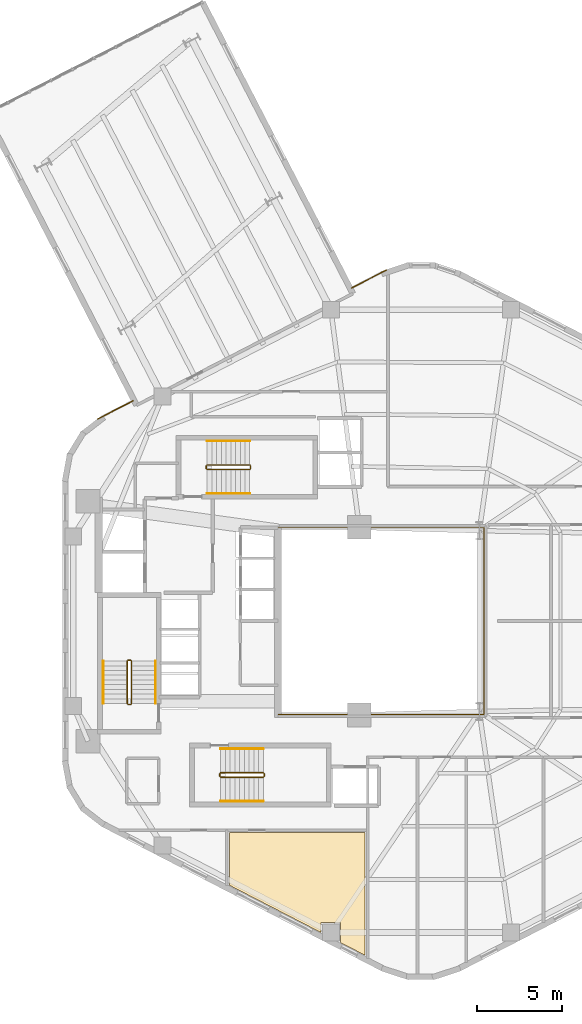
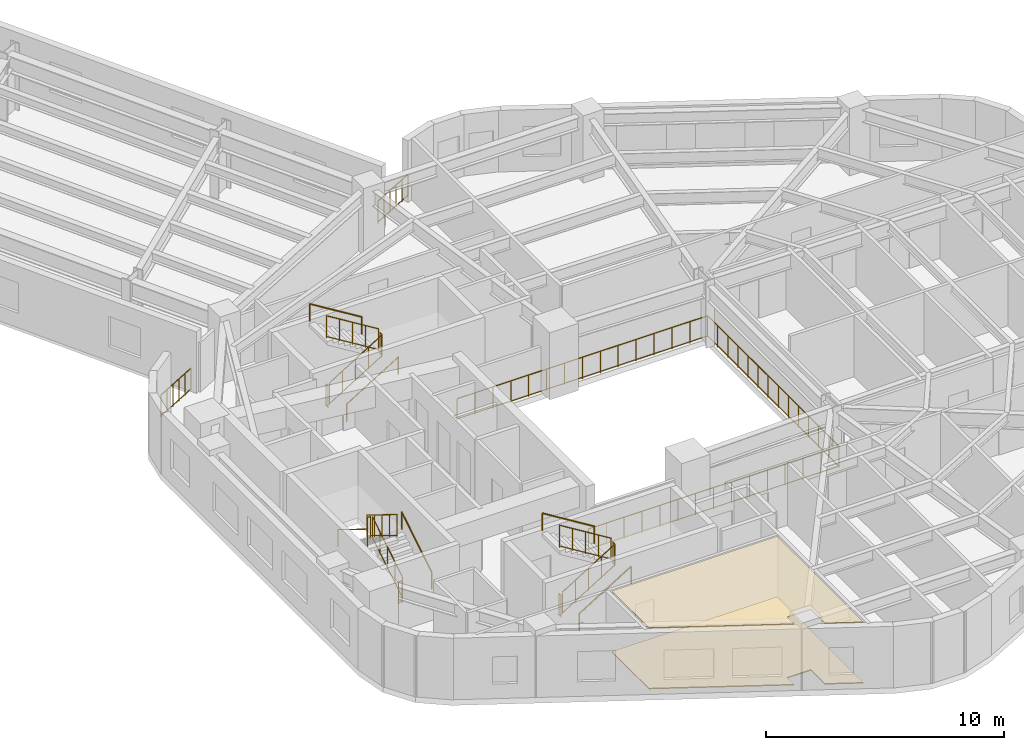
# One storey, part 10 of 10: 21 railings, 2 coverings.
"""IFC4 building model written with IfcOpenShell, lengths in metres."""

from ifc_helpers import new_model, si_unit, direction, frame, origin, origin_2d, place, context, subcontext, project, spatial, polyline, circle, outline, extrude, material, layer, layer_set, type_object, element, save


model = new_model("IFC4")

# Units and contexts
model_context = context("Model", 3, precision=1e-05, world=origin(), true_north=direction((0.0, 1.0)))
body_context = subcontext(model_context, "Body", "Model", "MODEL_VIEW")
ifc_project = project(units=[si_unit("LENGTHUNIT", "METRE"), si_unit("AREAUNIT", "SQUARE_METRE"), si_unit("VOLUMEUNIT", "CUBIC_METRE"), si_unit("PLANEANGLEUNIT", "RADIAN"), si_unit("MASSUNIT", "GRAM", prefix="KILO"), si_unit("THERMODYNAMICTEMPERATUREUNIT", "KELVIN"), si_unit("POWERUNIT", "WATT")], contexts=[model_context])

# Site, building, storey
site_placement = place(None, origin())
site = spatial("IfcSite", under=ifc_project, at=site_placement, CompositionType="ELEMENT")
building_placement = place(site_placement, origin())
building = spatial("IfcBuilding", under=site, at=building_placement, Name="Skarre Station Tower", CompositionType="ELEMENT")
storey_placement = place(building_placement, frame((0.0, 0.0, 142.949951171875)))
storey = spatial("IfcBuildingStorey", under=building, at=storey_placement, Name="L38", CompositionType="ELEMENT", Elevation=142.949951171875)

# Railing
ifc_material_1 = material(Name="Bronze Anodized Steel & Laminated Glass Balustrade", Category="steel")
railing_type_1 = type_object("IfcRailingType", Name="Atrium Void & Mezzanine Guard Balustrade 1120", PredefinedType="GUARDRAIL", material=ifc_material_1)
railing_1_placement = place(storey_placement, frame((27.550048828125, 18.47998046875, 0.0)))
element("IfcRailing", 1, at=railing_1_placement, inside=storey, type_object=railing_type_1, Name="L38 Atrium Void Guard Balustrade", PredefinedType="GUARDRAIL", context=body_context, shape_type="SweptSolid", body=[
    extrude(circle(Radius=0.02392578125, at=origin_2d()), frame((0.0, 0.0, 1.09619140625), z_axis=(1.0, 0.0, 0.0), x_axis=(0.0, 1.0, 0.0)), (0.0, 0.0, 1.0), 12.169921875),
    extrude(circle(Radius=0.02099609375, at=origin_2d()), frame((0.0, 0.0, 0.06005859375), z_axis=(1.0, 0.0, 0.0), x_axis=(0.0, 1.0, 0.0)), (0.0, 0.0, 1.0), 12.169921875),
    extrude(circle(Radius=0.02392578125, at=origin_2d()), frame((12.169921875, 0.0, 1.09619140625), z_axis=(0.0, 1.0, 0.0), x_axis=(-1.0, 0.0, 0.0)), (0.0, 0.0, 1.0), 11.0400390625),
    extrude(circle(Radius=0.02099609375, at=origin_2d()), frame((12.169921875, 0.0, 0.06005859375), z_axis=(0.0, 1.0, 0.0), x_axis=(-1.0, 0.0, 0.0)), (0.0, 0.0, 1.0), 11.0400390625),
    extrude(circle(Radius=0.02392578125, at=origin_2d()), frame((12.169921875, 11.0400390625, 1.09619140625), z_axis=(-1.0, 0.0, 0.0), x_axis=(0.0, -1.0, 0.0)), (0.0, 0.0, 1.0), 12.169921875),
    extrude(circle(Radius=0.02099609375, at=origin_2d()), frame((12.169921875, 11.0400390625, 0.06005859375), z_axis=(-1.0, 0.0, 0.0), x_axis=(0.0, -1.0, 0.0)), (0.0, 0.0, 1.0), 12.169921875),
    extrude(circle(Radius=0.02099609375, at=origin_2d()), origin(), (0.0, 0.0, 1.0), 1.072021484375),
    extrude(circle(Radius=0.02099609375, at=origin_2d()), frame((0.869384765625, 0.0, 0.0)), (0.0, 0.0, 1.0), 1.072021484375),
    extrude(circle(Radius=0.02099609375, at=origin_2d()), frame((1.738525390625, 0.0, 0.0)), (0.0, 0.0, 1.0), 1.072021484375),
    extrude(circle(Radius=0.02099609375, at=origin_2d()), frame((2.60791015625, 0.0, 0.0)), (0.0, 0.0, 1.0), 1.072021484375),
    extrude(circle(Radius=0.02099609375, at=origin_2d()), frame((3.47705078125, 0.0, 0.0)), (0.0, 0.0, 1.0), 1.072021484375),
    extrude(circle(Radius=0.02099609375, at=origin_2d()), frame((4.346435546875, 0.0, 0.0)), (0.0, 0.0, 1.0), 1.072021484375),
    extrude(circle(Radius=0.02099609375, at=origin_2d()), frame((5.215576171875, 0.0, 0.0)), (0.0, 0.0, 1.0), 1.072021484375),
    extrude(circle(Radius=0.02099609375, at=origin_2d()), frame((6.0849609375, 0.0, 0.0)), (0.0, 0.0, 1.0), 1.072021484375),
    extrude(circle(Radius=0.02099609375, at=origin_2d()), frame((6.954345703125, 0.0, 0.0)), (0.0, 0.0, 1.0), 1.072021484375),
    extrude(circle(Radius=0.02099609375, at=origin_2d()), frame((7.823486328125, 0.0, 0.0)), (0.0, 0.0, 1.0), 1.072021484375),
    extrude(circle(Radius=0.02099609375, at=origin_2d()), frame((8.69287109375, 0.0, 0.0)), (0.0, 0.0, 1.0), 1.072021484375),
    extrude(circle(Radius=0.02099609375, at=origin_2d()), frame((9.56201171875, 0.0, 0.0)), (0.0, 0.0, 1.0), 1.072021484375),
    extrude(circle(Radius=0.02099609375, at=origin_2d()), frame((10.431396484375, 0.0, 0.0)), (0.0, 0.0, 1.0), 1.072021484375),
    extrude(circle(Radius=0.02099609375, at=origin_2d()), frame((11.300537109375, 0.0, 0.0)), (0.0, 0.0, 1.0), 1.072021484375),
    extrude(circle(Radius=0.02099609375, at=origin_2d()), frame((12.169921875, 0.0, 0.0)), (0.0, 0.0, 1.0), 1.072021484375),
    extrude(circle(Radius=0.02099609375, at=origin_2d()), frame((12.169921875, 0.84912109375, 0.0)), (0.0, 0.0, 1.0), 1.072021484375),
    extrude(circle(Radius=0.02099609375, at=origin_2d()), frame((12.169921875, 1.698486328125, 0.0)), (0.0, 0.0, 1.0), 1.072021484375),
    extrude(circle(Radius=0.02099609375, at=origin_2d()), frame((12.169921875, 2.547607421875, 0.0)), (0.0, 0.0, 1.0), 1.072021484375),
    extrude(circle(Radius=0.02099609375, at=origin_2d()), frame((12.169921875, 3.39697265625, 0.0)), (0.0, 0.0, 1.0), 1.072021484375),
    extrude(circle(Radius=0.02099609375, at=origin_2d()), frame((12.169921875, 4.24609375, 0.0)), (0.0, 0.0, 1.0), 1.072021484375),
    extrude(circle(Radius=0.02099609375, at=origin_2d()), frame((12.169921875, 5.095458984375, 0.0)), (0.0, 0.0, 1.0), 1.072021484375),
    extrude(circle(Radius=0.02099609375, at=origin_2d()), frame((12.169921875, 5.944580078125, 0.0)), (0.0, 0.0, 1.0), 1.072021484375),
    extrude(circle(Radius=0.02099609375, at=origin_2d()), frame((12.169921875, 6.7939453125, 0.0)), (0.0, 0.0, 1.0), 1.072021484375),
    extrude(circle(Radius=0.02099609375, at=origin_2d()), frame((12.169921875, 7.64306640625, 0.0)), (0.0, 0.0, 1.0), 1.072021484375),
    extrude(circle(Radius=0.02099609375, at=origin_2d()), frame((12.169921875, 8.492431640625, 0.0)), (0.0, 0.0, 1.0), 1.072021484375),
    extrude(circle(Radius=0.02099609375, at=origin_2d()), frame((12.169921875, 9.341552734375, 0.0)), (0.0, 0.0, 1.0), 1.072021484375),
    extrude(circle(Radius=0.02099609375, at=origin_2d()), frame((12.169921875, 10.19091796875, 0.0)), (0.0, 0.0, 1.0), 1.072021484375),
    extrude(circle(Radius=0.02099609375, at=origin_2d()), frame((12.169921875, 11.0400390625, 0.0)), (0.0, 0.0, 1.0), 1.072021484375),
    extrude(circle(Radius=0.02099609375, at=origin_2d()), frame((11.300537109375, 11.0400390625, 0.0)), (0.0, 0.0, 1.0), 1.072021484375),
    extrude(circle(Radius=0.02099609375, at=origin_2d()), frame((10.431396484375, 11.0400390625, 0.0)), (0.0, 0.0, 1.0), 1.072021484375),
    extrude(circle(Radius=0.02099609375, at=origin_2d()), frame((9.56201171875, 11.0400390625, 0.0)), (0.0, 0.0, 1.0), 1.072021484375),
    extrude(circle(Radius=0.02099609375, at=origin_2d()), frame((8.69287109375, 11.0400390625, 0.0)), (0.0, 0.0, 1.0), 1.072021484375),
    extrude(circle(Radius=0.02099609375, at=origin_2d()), frame((7.823486328125, 11.0400390625, 0.0)), (0.0, 0.0, 1.0), 1.072021484375),
    extrude(circle(Radius=0.02099609375, at=origin_2d()), frame((6.954345703125, 11.0400390625, 0.0)), (0.0, 0.0, 1.0), 1.072021484375),
    extrude(circle(Radius=0.02099609375, at=origin_2d()), frame((6.0849609375, 11.0400390625, 0.0)), (0.0, 0.0, 1.0), 1.072021484375),
    extrude(circle(Radius=0.02099609375, at=origin_2d()), frame((5.215576171875, 11.0400390625, 0.0)), (0.0, 0.0, 1.0), 1.072021484375),
    extrude(circle(Radius=0.02099609375, at=origin_2d()), frame((4.346435546875, 11.0400390625, 0.0)), (0.0, 0.0, 1.0), 1.072021484375),
    extrude(circle(Radius=0.02099609375, at=origin_2d()), frame((3.47705078125, 11.0400390625, 0.0)), (0.0, 0.0, 1.0), 1.072021484375),
    extrude(circle(Radius=0.02099609375, at=origin_2d()), frame((2.60791015625, 11.0400390625, 0.0)), (0.0, 0.0, 1.0), 1.072021484375),
    extrude(circle(Radius=0.02099609375, at=origin_2d()), frame((1.738525390625, 11.0400390625, 0.0)), (0.0, 0.0, 1.0), 1.072021484375),
    extrude(circle(Radius=0.02099609375, at=origin_2d()), frame((0.869384765625, 11.0400390625, 0.0)), (0.0, 0.0, 1.0), 1.072021484375),
    extrude(circle(Radius=0.02099609375, at=origin_2d()), frame((0.0, 11.0400390625, 0.0)), (0.0, 0.0, 1.0), 1.072021484375),
])

# Covering
ifc_material_2 = material(Name="Honed Jura Limestone & Calcium-Sulfate Access Tile", Category="masonry")
ifc_layer_1 = layer(ifc_material_2, 0.050048828125, Name="Honed Jura Limestone & Calcium-Sulfate Access Tile")
ifc_layer_set_1 = layer_set([ifc_layer_1], Name="Honed Jura Limestone & Calcium-Sulfate Access Tile")
covering_type_1 = type_object("IfcCoveringType", Name="Honed Limestone & Raised Access Floor Finish 50", PredefinedType="FLOORING", material=ifc_layer_set_1)
covering_1_placement = place(storey_placement, origin())
element("IfcCovering", 2, at=covering_1_placement, inside=storey, type_object=covering_type_1, Name="L38 Limestone Access Flooring 1", PredefinedType="FLOORING", context=body_context, shape_type="SweptSolid", body=[
    extrude(outline(polyline([(24.659912109375, 8.3798828125), (30.089111328125, 5.577880859375), (30.089111328125, 6.162109375), (31.2490234375, 6.162109375), (31.2490234375, 5.001953125), (31.205078125, 5.001953125), (32.68994140625, 4.235107421875), (32.68994140625, 11.5), (24.659912109375, 11.5), (24.659912109375, 8.3798828125)])), origin(), (0.0, 0.0, 1.0), 0.050048828125),
])

# Railings
ifc_material_3 = material(Name="Stainless Steel Grade 316L & Laminated Safety Glass", Category="steel")
railing_type_2 = type_object("IfcRailingType", Name="Laminated Glass & Stainless Terrace Guardrail 1150", PredefinedType="BALUSTRADE", material=ifc_material_3)
railing_2_placement = place(storey_placement, frame((16.87890625, 35.952880859375, 0.0)))
element("IfcRailing", 3, at=railing_2_placement, inside=storey, type_object=railing_type_2, Name="L38 SB-3 Shoulder Ledge Guardrail 1", PredefinedType="BALUSTRADE", context=body_context, shape_type="SweptSolid", body=[
    extrude(circle(Radius=0.02392578125, at=origin_2d()), frame((0.0, 0.0, 1.1259765625), z_axis=(0.888522104904, 0.458833814248, 0.0), x_axis=(-0.458833814248, 0.888522104904, 0.0)), (0.0, 0.0, 1.0), 2.345458984375),
    extrude(circle(Radius=0.02099609375, at=origin_2d()), frame((0.0, 0.0, 0.06005859375), z_axis=(0.888522104904, 0.458833814248, 0.0), x_axis=(-0.458833814248, 0.888522104904, 0.0)), (0.0, 0.0, 1.0), 2.345458984375),
    extrude(circle(Radius=0.02099609375, at=origin_2d()), origin(), (0.0, 0.0, 1.0), 1.101806640625),
    extrude(circle(Radius=0.02099609375, at=origin_2d()), frame((0.416748046875, 0.21533203125, 0.0)), (0.0, 0.0, 1.0), 1.101806640625),
    extrude(circle(Radius=0.02099609375, at=origin_2d()), frame((0.83349609375, 0.430419921875, 0.0)), (0.0, 0.0, 1.0), 1.101806640625),
    extrude(circle(Radius=0.02099609375, at=origin_2d()), frame((1.25048828125, 0.645751953125, 0.0)), (0.0, 0.0, 1.0), 1.101806640625),
    extrude(circle(Radius=0.02099609375, at=origin_2d()), frame((1.667236328125, 0.86083984375, 0.0)), (0.0, 0.0, 1.0), 1.101806640625),
    extrude(circle(Radius=0.02099609375, at=origin_2d()), frame((2.083984375, 1.076171875, 0.0)), (0.0, 0.0, 1.0), 1.101806640625),
])
railing_3_placement = place(storey_placement, frame((31.883056640625, 43.697021484375, 0.0)))
element("IfcRailing", 4, at=railing_3_placement, inside=storey, type_object=railing_type_2, Name="L38 SB-3 Shoulder Ledge Guardrail 2", PredefinedType="BALUSTRADE", context=body_context, shape_type="SweptSolid", body=[
    extrude(circle(Radius=0.02392578125, at=origin_2d()), frame((0.0, 0.0, 1.1259765625), z_axis=(0.888564539427, 0.458751631356, 0.0), x_axis=(-0.458751631356, 0.888564539427, 0.0)), (0.0, 0.0, 1.0), 2.345458984375),
    extrude(circle(Radius=0.02099609375, at=origin_2d()), frame((0.0, 0.0, 0.06005859375), z_axis=(0.888564539427, 0.458751631356, 0.0), x_axis=(-0.458751631356, 0.888564539427, 0.0)), (0.0, 0.0, 1.0), 2.345458984375),
    extrude(circle(Radius=0.02099609375, at=origin_2d()), origin(), (0.0, 0.0, 1.0), 1.101806640625),
    extrude(circle(Radius=0.02099609375, at=origin_2d()), frame((0.416748046875, 0.215087890625, 0.0)), (0.0, 0.0, 1.0), 1.101806640625),
    extrude(circle(Radius=0.02099609375, at=origin_2d()), frame((0.83349609375, 0.430419921875, 0.0)), (0.0, 0.0, 1.0), 1.101806640625),
    extrude(circle(Radius=0.02099609375, at=origin_2d()), frame((1.25048828125, 0.6455078125, 0.0)), (0.0, 0.0, 1.0), 1.101806640625),
    extrude(circle(Radius=0.02099609375, at=origin_2d()), frame((1.667236328125, 0.86083984375, 0.0)), (0.0, 0.0, 1.0), 1.101806640625),
    extrude(circle(Radius=0.02099609375, at=origin_2d()), frame((2.083984375, 1.075927734375, 0.0)), (0.0, 0.0, 1.0), 1.101806640625),
])

# Covering
ifc_material_4 = material(Name="Perforated Nordic Birch Veneer & Mineral Wool", Category="wood")
ifc_layer_2 = layer(ifc_material_4, 0.044921875, Name="Perforated Nordic Birch Veneer & Mineral Wool")
ifc_layer_set_2 = layer_set([ifc_layer_2], Name="Perforated Nordic Birch Veneer & Mineral Wool")
covering_type_2 = type_object("IfcCoveringType", Name="Nordic Birch Slatted Acoustic Suspended Ceiling 45", PredefinedType="CEILING", material=ifc_layer_set_2)
covering_2_placement = place(storey_placement, frame((0.0, 0.0, 3.114990234375)))
element("IfcCovering", 5, at=covering_2_placement, inside=storey, type_object=covering_type_2, Name="L38 Acoustic Birch Ceiling 1", PredefinedType="CEILING", context=body_context, shape_type="SweptSolid", body=[
    extrude(outline(polyline([(24.659912109375, 8.3798828125), (30.089111328125, 5.577880859375), (30.089111328125, 6.162109375), (31.2490234375, 6.162109375), (31.2490234375, 5.001953125), (31.205078125, 5.001953125), (32.68994140625, 4.235107421875), (32.68994140625, 11.5), (24.659912109375, 11.5), (24.659912109375, 8.3798828125)])), origin(), (0.0, 0.0, 1.0), 0.045166015625),
])

# Railings
ifc_material_5 = material(Name="Powder-Coated Tubular Steel", Category="steel")
railing_type_3 = type_object("IfcRailingType", Name="Painted Steel Ramp & Stair Handrail 920", PredefinedType="HANDRAIL", material=ifc_material_5)
railing_4_placement = place(storey_placement, frame((20.300048828125, 19.1201171875, 0.172607421875)))
element("IfcRailing", 6, at=railing_4_placement, inside=storey, type_object=railing_type_3, Name="L38 ST-1 stair handrail 1", PredefinedType="HANDRAIL", context=body_context, shape_type="SweptSolid", body=[
    extrude(circle(Radius=0.02392578125, at=origin_2d()), frame((0.0, 0.0, 0.8759765625), z_axis=(0.0, 0.851377800117, 0.52455299205), x_axis=(-1.0, 0.0, 0.0)), (0.0, 0.0, 1.0), 2.959716796875),
    extrude(circle(Radius=0.02099609375, at=origin_2d()), origin(), (0.0, 0.0, 1.0), 0.851806640625),
    extrude(circle(Radius=0.02099609375, at=origin_2d()), frame((0.0, 2.519775390625, 1.552490234375)), (0.0, 0.0, 1.0), 0.851806640625),
])
railing_5_placement = place(storey_placement, frame((17.199951171875, 21.639892578125, 1.8974609375)))
element("IfcRailing", 7, at=railing_5_placement, inside=storey, type_object=railing_type_3, Name="L38 ST-1 stair handrail 2", PredefinedType="HANDRAIL", context=body_context, shape_type="SweptSolid", body=[
    extrude(circle(Radius=0.02392578125, at=origin_2d()), frame((0.0, 0.0, 0.8759765625), z_axis=(0.0, -0.851377800117, 0.52455299205), x_axis=(1.0, 0.0, 0.0)), (0.0, 0.0, 1.0), 2.959716796875),
    extrude(circle(Radius=0.02099609375, at=origin_2d()), origin(), (0.0, 0.0, 1.0), 0.851806640625),
    extrude(circle(Radius=0.02099609375, at=origin_2d()), frame((0.0, -2.519775390625, 1.552490234375)), (0.0, 0.0, 1.0), 0.851806640625),
])
railing_6_placement = place(storey_placement, frame((24.14990234375, 13.35009765625, 0.172607421875)))
element("IfcRailing", 8, at=railing_6_placement, inside=storey, type_object=railing_type_3, Name="L38 ST-2 stair handrail 1", PredefinedType="HANDRAIL", context=body_context, shape_type="SweptSolid", body=[
    extrude(circle(Radius=0.02392578125, at=origin_2d()), frame((0.0, 0.0, 0.8759765625), z_axis=(0.851400495292, 0.0, 0.524516154772), x_axis=(0.0, 1.0, 0.0)), (0.0, 0.0, 1.0), 2.9599609375),
    extrude(circle(Radius=0.02099609375, at=origin_2d()), origin(), (0.0, 0.0, 1.0), 0.851806640625),
    extrude(circle(Radius=0.02099609375, at=origin_2d()), frame((2.52001953125, 0.0, 1.552490234375)), (0.0, 0.0, 1.0), 0.851806640625),
])
railing_7_placement = place(storey_placement, frame((26.669921875, 16.449951171875, 1.8974609375)))
element("IfcRailing", 9, at=railing_7_placement, inside=storey, type_object=railing_type_3, Name="L38 ST-2 stair handrail 2", PredefinedType="HANDRAIL", context=body_context, shape_type="SweptSolid", body=[
    extrude(circle(Radius=0.02392578125, at=origin_2d()), frame((0.0, 0.0, 0.8759765625), z_axis=(-0.851400495292, 0.0, 0.524516154772), x_axis=(0.0, -1.0, 0.0)), (0.0, 0.0, 1.0), 2.9599609375),
    extrude(circle(Radius=0.02099609375, at=origin_2d()), origin(), (0.0, 0.0, 1.0), 0.851806640625),
    extrude(circle(Radius=0.02099609375, at=origin_2d()), frame((-2.52001953125, 0.0, 1.552490234375)), (0.0, 0.0, 1.0), 0.851806640625),
])
railing_8_placement = place(storey_placement, frame((23.35009765625, 31.550048828125, 0.172607421875)))
element("IfcRailing", 10, at=railing_8_placement, inside=storey, type_object=railing_type_3, Name="L38 ST-3 stair handrail 1", PredefinedType="HANDRAIL", context=body_context, shape_type="SweptSolid", body=[
    extrude(circle(Radius=0.02392578125, at=origin_2d()), frame((0.0, 0.0, 0.8759765625), z_axis=(0.851400495292, 0.0, 0.524516154772), x_axis=(0.0, 1.0, 0.0)), (0.0, 0.0, 1.0), 2.9599609375),
    extrude(circle(Radius=0.02099609375, at=origin_2d()), origin(), (0.0, 0.0, 1.0), 0.851806640625),
    extrude(circle(Radius=0.02099609375, at=origin_2d()), frame((2.52001953125, 0.0, 1.552490234375)), (0.0, 0.0, 1.0), 0.851806640625),
])
railing_9_placement = place(storey_placement, frame((25.8701171875, 34.64990234375, 1.8974609375)))
element("IfcRailing", 11, at=railing_9_placement, inside=storey, type_object=railing_type_3, Name="L38 ST-3 stair handrail 2", PredefinedType="HANDRAIL", context=body_context, shape_type="SweptSolid", body=[
    extrude(circle(Radius=0.02392578125, at=origin_2d()), frame((0.0, 0.0, 0.8759765625), z_axis=(-0.851400495292, 0.0, 0.524516154772), x_axis=(0.0, -1.0, 0.0)), (0.0, 0.0, 1.0), 2.9599609375),
    extrude(circle(Radius=0.02099609375, at=origin_2d()), origin(), (0.0, 0.0, 1.0), 0.851806640625),
    extrude(circle(Radius=0.02099609375, at=origin_2d()), frame((-2.52001953125, 0.0, 1.552490234375)), (0.0, 0.0, 1.0), 0.851806640625),
])
railing_type_4 = type_object("IfcRailingType", Name="Painted Steel Stairwell Guardrail 1100", PredefinedType="GUARDRAIL", material=ifc_material_5)
railing_10_placement = place(storey_placement, frame((18.8798828125, 19.1201171875, 0.172607421875)))
element("IfcRailing", 12, at=railing_10_placement, inside=storey, type_object=railing_type_4, Name="L38 ST-1 stair guard 1", PredefinedType="GUARDRAIL", context=body_context, shape_type="SweptSolid", body=[
    extrude(circle(Radius=0.02392578125, at=origin_2d()), frame((0.0, 0.0, 1.1259765625), z_axis=(0.0, 0.851377800117, 0.52455299205), x_axis=(-1.0, 0.0, 0.0)), (0.0, 0.0, 1.0), 2.959716796875),
    extrude(circle(Radius=0.02099609375, at=origin_2d()), frame((0.0, 0.0, 0.06005859375), z_axis=(0.0, 0.851377800117, 0.52455299205), x_axis=(-1.0, 0.0, 0.0)), (0.0, 0.0, 1.0), 2.959716796875),
    extrude(circle(Radius=0.02099609375, at=origin_2d()), origin(), (0.0, 0.0, 1.0), 1.101806640625),
    extrude(circle(Radius=0.02099609375, at=origin_2d()), frame((0.0, 0.6298828125, 0.38818359375)), (0.0, 0.0, 1.0), 1.101806640625),
    extrude(circle(Radius=0.02099609375, at=origin_2d()), frame((0.0, 1.259765625, 0.7763671875)), (0.0, 0.0, 1.0), 1.101806640625),
    extrude(circle(Radius=0.02099609375, at=origin_2d()), frame((0.0, 1.889892578125, 1.164306640625)), (0.0, 0.0, 1.0), 1.101806640625),
    extrude(circle(Radius=0.02099609375, at=origin_2d()), frame((0.0, 2.519775390625, 1.552490234375)), (0.0, 0.0, 1.0), 1.101806640625),
])
railing_11_placement = place(storey_placement, frame((18.830078125, 21.68994140625, 1.72509765625)))
element("IfcRailing", 13, at=railing_11_placement, inside=storey, type_object=railing_type_4, Name="L38 ST-1 stair guard 2", PredefinedType="GUARDRAIL", context=body_context, shape_type="SweptSolid", body=[
    extrude(circle(Radius=0.02392578125, at=origin_2d()), frame((0.0, 0.0, 1.1259765625), z_axis=(-1.0, 0.0, 0.0), x_axis=(0.0, -1.0, 0.0)), (0.0, 0.0, 1.0), 0.16015625),
    extrude(circle(Radius=0.02099609375, at=origin_2d()), frame((0.0, 0.0, 0.06005859375), z_axis=(-1.0, 0.0, 0.0), x_axis=(0.0, -1.0, 0.0)), (0.0, 0.0, 1.0), 0.16015625),
    extrude(circle(Radius=0.02099609375, at=origin_2d()), origin(), (0.0, 0.0, 1.0), 1.101806640625),
    extrude(circle(Radius=0.02099609375, at=origin_2d()), frame((-0.16015625, 0.0, 0.0)), (0.0, 0.0, 1.0), 1.101806640625),
])
railing_12_placement = place(storey_placement, frame((18.6201171875, 21.639892578125, 1.8974609375)))
element("IfcRailing", 14, at=railing_12_placement, inside=storey, type_object=railing_type_4, Name="L38 ST-1 stair guard 3", PredefinedType="GUARDRAIL", context=body_context, shape_type="SweptSolid", body=[
    extrude(circle(Radius=0.02392578125, at=origin_2d()), frame((0.0, 0.0, 1.1259765625), z_axis=(0.0, -0.851377800117, 0.52455299205), x_axis=(1.0, 0.0, 0.0)), (0.0, 0.0, 1.0), 2.959716796875),
    extrude(circle(Radius=0.02099609375, at=origin_2d()), frame((0.0, 0.0, 0.06005859375), z_axis=(0.0, -0.851377800117, 0.52455299205), x_axis=(1.0, 0.0, 0.0)), (0.0, 0.0, 1.0), 2.959716796875),
    extrude(circle(Radius=0.02099609375, at=origin_2d()), origin(), (0.0, 0.0, 1.0), 1.101806640625),
    extrude(circle(Radius=0.02099609375, at=origin_2d()), frame((0.0, -0.6298828125, 0.38818359375)), (0.0, 0.0, 1.0), 1.101806640625),
    extrude(circle(Radius=0.02099609375, at=origin_2d()), frame((0.0, -1.259765625, 0.7763671875)), (0.0, 0.0, 1.0), 1.101806640625),
    extrude(circle(Radius=0.02099609375, at=origin_2d()), frame((0.0, -1.889892578125, 1.164306640625)), (0.0, 0.0, 1.0), 1.101806640625),
    extrude(circle(Radius=0.02099609375, at=origin_2d()), frame((0.0, -2.519775390625, 1.552490234375)), (0.0, 0.0, 1.0), 1.101806640625),
])
railing_13_placement = place(storey_placement, frame((18.830078125, 19.070068359375, 0.0)))
element("IfcRailing", 15, at=railing_13_placement, inside=storey, type_object=railing_type_4, Name="L38 ST-1 stair guard 4", PredefinedType="GUARDRAIL", context=body_context, shape_type="SweptSolid", body=[
    extrude(circle(Radius=0.02392578125, at=origin_2d()), frame((0.0, 0.0, 1.1259765625), z_axis=(-1.0, 0.0, 0.0), x_axis=(0.0, -1.0, 0.0)), (0.0, 0.0, 1.0), 0.16015625),
    extrude(circle(Radius=0.02099609375, at=origin_2d()), frame((0.0, 0.0, 0.06005859375), z_axis=(-1.0, 0.0, 0.0), x_axis=(0.0, -1.0, 0.0)), (0.0, 0.0, 1.0), 0.16015625),
    extrude(circle(Radius=0.02099609375, at=origin_2d()), origin(), (0.0, 0.0, 1.0), 1.101806640625),
    extrude(circle(Radius=0.02099609375, at=origin_2d()), frame((-0.16015625, 0.0, 0.0)), (0.0, 0.0, 1.0), 1.101806640625),
])
railing_14_placement = place(storey_placement, frame((24.14990234375, 14.77001953125, 0.172607421875)))
element("IfcRailing", 16, at=railing_14_placement, inside=storey, type_object=railing_type_4, Name="L38 ST-2 stair guard 1", PredefinedType="GUARDRAIL", context=body_context, shape_type="SweptSolid", body=[
    extrude(circle(Radius=0.02392578125, at=origin_2d()), frame((0.0, 0.0, 1.1259765625), z_axis=(0.851400495292, 0.0, 0.524516154772), x_axis=(0.0, 1.0, 0.0)), (0.0, 0.0, 1.0), 2.9599609375),
    extrude(circle(Radius=0.02099609375, at=origin_2d()), frame((0.0, 0.0, 0.06005859375), z_axis=(0.851400495292, 0.0, 0.524516154772), x_axis=(0.0, 1.0, 0.0)), (0.0, 0.0, 1.0), 2.9599609375),
    extrude(circle(Radius=0.02099609375, at=origin_2d()), origin(), (0.0, 0.0, 1.0), 1.101806640625),
    extrude(circle(Radius=0.02099609375, at=origin_2d()), frame((0.6298828125, 0.0, 0.38818359375)), (0.0, 0.0, 1.0), 1.101806640625),
    extrude(circle(Radius=0.02099609375, at=origin_2d()), frame((1.260009765625, 0.0, 0.7763671875)), (0.0, 0.0, 1.0), 1.101806640625),
    extrude(circle(Radius=0.02099609375, at=origin_2d()), frame((1.89013671875, 0.0, 1.164306640625)), (0.0, 0.0, 1.0), 1.101806640625),
    extrude(circle(Radius=0.02099609375, at=origin_2d()), frame((2.52001953125, 0.0, 1.552490234375)), (0.0, 0.0, 1.0), 1.101806640625),
])
railing_15_placement = place(storey_placement, frame((26.719970703125, 14.820068359375, 1.72509765625)))
element("IfcRailing", 17, at=railing_15_placement, inside=storey, type_object=railing_type_4, Name="L38 ST-2 stair guard 2", PredefinedType="GUARDRAIL", context=body_context, shape_type="SweptSolid", body=[
    extrude(circle(Radius=0.02392578125, at=origin_2d()), frame((0.0, 0.0, 1.1259765625), z_axis=(0.0, 1.0, 0.0), x_axis=(-1.0, 0.0, 0.0)), (0.0, 0.0, 1.0), 0.159912109375),
    extrude(circle(Radius=0.02099609375, at=origin_2d()), frame((0.0, 0.0, 0.06005859375), z_axis=(0.0, 1.0, 0.0), x_axis=(-1.0, 0.0, 0.0)), (0.0, 0.0, 1.0), 0.159912109375),
    extrude(circle(Radius=0.02099609375, at=origin_2d()), origin(), (0.0, 0.0, 1.0), 1.101806640625),
    extrude(circle(Radius=0.02099609375, at=origin_2d()), frame((0.0, 0.159912109375, 0.0)), (0.0, 0.0, 1.0), 1.101806640625),
])
railing_16_placement = place(storey_placement, frame((26.669921875, 15.030029296875, 1.8974609375)))
element("IfcRailing", 18, at=railing_16_placement, inside=storey, type_object=railing_type_4, Name="L38 ST-2 stair guard 3", PredefinedType="GUARDRAIL", context=body_context, shape_type="SweptSolid", body=[
    extrude(circle(Radius=0.02392578125, at=origin_2d()), frame((0.0, 0.0, 1.1259765625), z_axis=(-0.851400495292, 0.0, 0.524516154772), x_axis=(0.0, -1.0, 0.0)), (0.0, 0.0, 1.0), 2.9599609375),
    extrude(circle(Radius=0.02099609375, at=origin_2d()), frame((0.0, 0.0, 0.06005859375), z_axis=(-0.851400495292, 0.0, 0.524516154772), x_axis=(0.0, -1.0, 0.0)), (0.0, 0.0, 1.0), 2.9599609375),
    extrude(circle(Radius=0.02099609375, at=origin_2d()), origin(), (0.0, 0.0, 1.0), 1.101806640625),
    extrude(circle(Radius=0.02099609375, at=origin_2d()), frame((-0.6298828125, 0.0, 0.38818359375)), (0.0, 0.0, 1.0), 1.101806640625),
    extrude(circle(Radius=0.02099609375, at=origin_2d()), frame((-1.260009765625, 0.0, 0.7763671875)), (0.0, 0.0, 1.0), 1.101806640625),
    extrude(circle(Radius=0.02099609375, at=origin_2d()), frame((-1.89013671875, 0.0, 1.164306640625)), (0.0, 0.0, 1.0), 1.101806640625),
    extrude(circle(Radius=0.02099609375, at=origin_2d()), frame((-2.52001953125, 0.0, 1.552490234375)), (0.0, 0.0, 1.0), 1.101806640625),
])
railing_17_placement = place(storey_placement, frame((24.10009765625, 14.820068359375, 0.0)))
element("IfcRailing", 19, at=railing_17_placement, inside=storey, type_object=railing_type_4, Name="L38 ST-2 stair guard 4", PredefinedType="GUARDRAIL", context=body_context, shape_type="SweptSolid", body=[
    extrude(circle(Radius=0.02392578125, at=origin_2d()), frame((0.0, 0.0, 1.1259765625), z_axis=(0.0, 1.0, 0.0), x_axis=(-1.0, 0.0, 0.0)), (0.0, 0.0, 1.0), 0.159912109375),
    extrude(circle(Radius=0.02099609375, at=origin_2d()), frame((0.0, 0.0, 0.06005859375), z_axis=(0.0, 1.0, 0.0), x_axis=(-1.0, 0.0, 0.0)), (0.0, 0.0, 1.0), 0.159912109375),
    extrude(circle(Radius=0.02099609375, at=origin_2d()), origin(), (0.0, 0.0, 1.0), 1.101806640625),
    extrude(circle(Radius=0.02099609375, at=origin_2d()), frame((0.0, 0.159912109375, 0.0)), (0.0, 0.0, 1.0), 1.101806640625),
])
railing_18_placement = place(storey_placement, frame((23.35009765625, 32.969970703125, 0.172607421875)))
element("IfcRailing", 20, at=railing_18_placement, inside=storey, type_object=railing_type_4, Name="L38 ST-3 stair guard 1", PredefinedType="GUARDRAIL", context=body_context, shape_type="SweptSolid", body=[
    extrude(circle(Radius=0.02392578125, at=origin_2d()), frame((0.0, 0.0, 1.1259765625), z_axis=(0.851400495292, 0.0, 0.524516154772), x_axis=(0.0, 1.0, 0.0)), (0.0, 0.0, 1.0), 2.9599609375),
    extrude(circle(Radius=0.02099609375, at=origin_2d()), frame((0.0, 0.0, 0.06005859375), z_axis=(0.851400495292, 0.0, 0.524516154772), x_axis=(0.0, 1.0, 0.0)), (0.0, 0.0, 1.0), 2.9599609375),
    extrude(circle(Radius=0.02099609375, at=origin_2d()), origin(), (0.0, 0.0, 1.0), 1.101806640625),
    extrude(circle(Radius=0.02099609375, at=origin_2d()), frame((0.6298828125, 0.0, 0.38818359375)), (0.0, 0.0, 1.0), 1.101806640625),
    extrude(circle(Radius=0.02099609375, at=origin_2d()), frame((1.260009765625, 0.0, 0.7763671875)), (0.0, 0.0, 1.0), 1.101806640625),
    extrude(circle(Radius=0.02099609375, at=origin_2d()), frame((1.89013671875, 0.0, 1.164306640625)), (0.0, 0.0, 1.0), 1.101806640625),
    extrude(circle(Radius=0.02099609375, at=origin_2d()), frame((2.52001953125, 0.0, 1.552490234375)), (0.0, 0.0, 1.0), 1.101806640625),
])
railing_19_placement = place(storey_placement, frame((25.919921875, 33.02001953125, 1.72509765625)))
element("IfcRailing", 21, at=railing_19_placement, inside=storey, type_object=railing_type_4, Name="L38 ST-3 stair guard 2", PredefinedType="GUARDRAIL", context=body_context, shape_type="SweptSolid", body=[
    extrude(circle(Radius=0.02392578125, at=origin_2d()), frame((0.0, 0.0, 1.1259765625), z_axis=(0.0, 1.0, 0.0), x_axis=(-1.0, 0.0, 0.0)), (0.0, 0.0, 1.0), 0.159912109375),
    extrude(circle(Radius=0.02099609375, at=origin_2d()), frame((0.0, 0.0, 0.06005859375), z_axis=(0.0, 1.0, 0.0), x_axis=(-1.0, 0.0, 0.0)), (0.0, 0.0, 1.0), 0.159912109375),
    extrude(circle(Radius=0.02099609375, at=origin_2d()), origin(), (0.0, 0.0, 1.0), 1.101806640625),
    extrude(circle(Radius=0.02099609375, at=origin_2d()), frame((0.0, 0.159912109375, 0.0)), (0.0, 0.0, 1.0), 1.101806640625),
])
railing_20_placement = place(storey_placement, frame((25.8701171875, 33.22998046875, 1.8974609375)))
element("IfcRailing", 22, at=railing_20_placement, inside=storey, type_object=railing_type_4, Name="L38 ST-3 stair guard 3", PredefinedType="GUARDRAIL", context=body_context, shape_type="SweptSolid", body=[
    extrude(circle(Radius=0.02392578125, at=origin_2d()), frame((0.0, 0.0, 1.1259765625), z_axis=(-0.851400495292, 0.0, 0.524516154772), x_axis=(0.0, -1.0, 0.0)), (0.0, 0.0, 1.0), 2.9599609375),
    extrude(circle(Radius=0.02099609375, at=origin_2d()), frame((0.0, 0.0, 0.06005859375), z_axis=(-0.851400495292, 0.0, 0.524516154772), x_axis=(0.0, -1.0, 0.0)), (0.0, 0.0, 1.0), 2.9599609375),
    extrude(circle(Radius=0.02099609375, at=origin_2d()), origin(), (0.0, 0.0, 1.0), 1.101806640625),
    extrude(circle(Radius=0.02099609375, at=origin_2d()), frame((-0.6298828125, 0.0, 0.38818359375)), (0.0, 0.0, 1.0), 1.101806640625),
    extrude(circle(Radius=0.02099609375, at=origin_2d()), frame((-1.260009765625, 0.0, 0.7763671875)), (0.0, 0.0, 1.0), 1.101806640625),
    extrude(circle(Radius=0.02099609375, at=origin_2d()), frame((-1.89013671875, 0.0, 1.164306640625)), (0.0, 0.0, 1.0), 1.101806640625),
    extrude(circle(Radius=0.02099609375, at=origin_2d()), frame((-2.52001953125, 0.0, 1.552490234375)), (0.0, 0.0, 1.0), 1.101806640625),
])
railing_21_placement = place(storey_placement, frame((23.300048828125, 33.02001953125, 0.0)))
element("IfcRailing", 23, at=railing_21_placement, inside=storey, type_object=railing_type_4, Name="L38 ST-3 stair guard 4", PredefinedType="GUARDRAIL", context=body_context, shape_type="SweptSolid", body=[
    extrude(circle(Radius=0.02392578125, at=origin_2d()), frame((0.0, 0.0, 1.1259765625), z_axis=(0.0, 1.0, 0.0), x_axis=(-1.0, 0.0, 0.0)), (0.0, 0.0, 1.0), 0.159912109375),
    extrude(circle(Radius=0.02099609375, at=origin_2d()), frame((0.0, 0.0, 0.06005859375), z_axis=(0.0, 1.0, 0.0), x_axis=(-1.0, 0.0, 0.0)), (0.0, 0.0, 1.0), 0.159912109375),
    extrude(circle(Radius=0.02099609375, at=origin_2d()), origin(), (0.0, 0.0, 1.0), 1.101806640625),
    extrude(circle(Radius=0.02099609375, at=origin_2d()), frame((0.0, 0.159912109375, 0.0)), (0.0, 0.0, 1.0), 1.101806640625),
])

save(model, "model.ifc")
